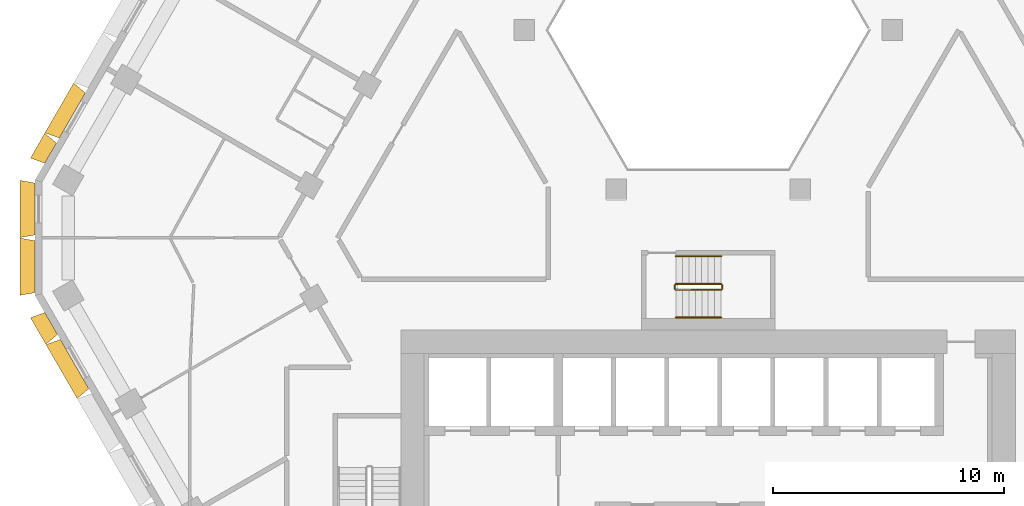
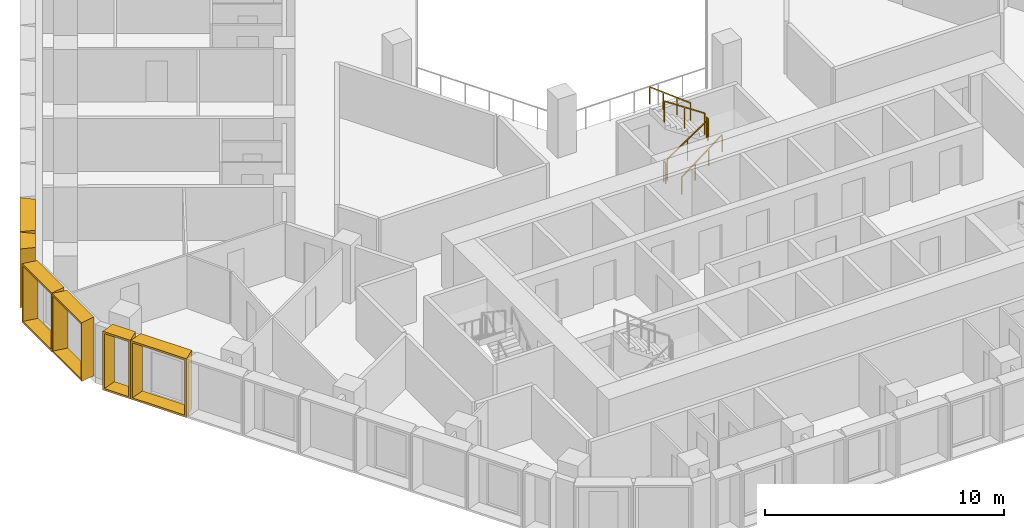
# One storey, part 13 of 15: 6 railings, 6 shading devices.
"""IFC4 building model written with IfcOpenShell, lengths in metres."""

from ifc_helpers import new_model, entity, si_unit, direction, frame, origin, origin_2d, place, context, subcontext, project, spatial, rectangle, extrude, source, transform, mapped, material, type_object, type_shapes, element, save


model = new_model("IFC4")

# Units and contexts
model_context = context("Model", 3, precision=1e-05, world=origin(), true_north=direction((0.0, 1.0)))
body_context = subcontext(model_context, "Body", "Model", "MODEL_VIEW")
ifc_project = project(units=[si_unit("LENGTHUNIT", "METRE"), si_unit("AREAUNIT", "SQUARE_METRE"), si_unit("VOLUMEUNIT", "CUBIC_METRE"), si_unit("PLANEANGLEUNIT", "RADIAN"), si_unit("MASSUNIT", "GRAM", prefix="KILO")], contexts=[model_context])

# Site, building, storey
site_placement = place(None, origin())
site = spatial("IfcSite", under=ifc_project, at=site_placement, CompositionType="ELEMENT")
building_placement = place(site_placement, origin())
building = spatial("IfcBuilding", under=site, at=building_placement, Name="Beryl Residences", CompositionType="ELEMENT")
storey_placement = place(building_placement, frame((0.0, 0.0, 78.0)))
storey = spatial("IfcBuildingStorey", under=building, at=storey_placement, Name="L23", CompositionType="ELEMENT", Elevation=78.0)

# Shading devices
ifc_material_1 = material(Name="Aluminium pale anodised", Category="aluminium")
shading_device_type_1 = type_object("IfcShadingDeviceType", Name="FR126-65A OUTER SKIN frame 650 mm deep, splay 10/10 deg, 1260 x 3000 mm cell", PredefinedType="USERDEFINED", material=ifc_material_1)
cartesian_point_1 = entity("IfcCartesianPoint", [-0.5048828125, 0.0])
cartesian_point_2 = entity("IfcCartesianPoint", [-0.423828125, 0.10009765625])
cartesian_point_3 = entity("IfcCartesianPoint", [-0.61962890625, 0.0])
cartesian_point_4 = entity("IfcCartesianPoint", [-0.538330078125, 0.10009765625])
shared_shape_1 = source(origin(), body_context, "Body", "SweptSolid", [
    entity("IfcExtrudedAreaSolidTapered", entity("IfcArbitraryProfileDefWithVoids", "AREA", None, entity("IfcPolyline", [cartesian_point_1, entity("IfcCartesianPoint", [0.5048828125, 0.0]), entity("IfcCartesianPoint", [0.5048828125, 3.0]), entity("IfcCartesianPoint", [-0.5048828125, 3.0]), cartesian_point_1]), [entity("IfcPolyline", [cartesian_point_2, entity("IfcCartesianPoint", [0.423828125, 0.10009765625]), entity("IfcCartesianPoint", [0.423828125, 2.89990234375]), entity("IfcCartesianPoint", [-0.423828125, 2.89990234375]), cartesian_point_2])]), entity("IfcAxis2Placement3D", entity("IfcCartesianPoint", [0.0, 0.0, 0.0]), entity("IfcDirection", [0.0, 1.0, 0.0]), entity("IfcDirection", [-1.0, 0.0, 0.0])), entity("IfcDirection", [0.0, 0.0, 1.0]), 0.64990234375, entity("IfcArbitraryProfileDefWithVoids", "AREA", None, entity("IfcPolyline", [cartesian_point_3, entity("IfcCartesianPoint", [0.61962890625, 0.0]), entity("IfcCartesianPoint", [0.61962890625, 3.0]), entity("IfcCartesianPoint", [-0.61962890625, 3.0]), cartesian_point_3]), [entity("IfcPolyline", [cartesian_point_4, entity("IfcCartesianPoint", [0.538330078125, 0.10009765625]), entity("IfcCartesianPoint", [0.538330078125, 2.89990234375]), entity("IfcCartesianPoint", [-0.538330078125, 2.89990234375]), cartesian_point_4])])),
])
type_shapes(shading_device_type_1, [shared_shape_1])
shading_device_1_placement = place(storey_placement, frame((-28.48193359375, 2.6689453125, 0.0), z_axis=(0.0, 0.0, 1.0), x_axis=(0.5, 0.866025403784, 0.0)))
element("IfcShadingDevice", 1, at=shading_device_1_placement, inside=storey, type_object=shading_device_type_1, Name="FR126-65A frame L23 NW 11", ObjectType="OUTER SKIN", PredefinedType="USERDEFINED", context=body_context, shape_type="MappedRepresentation", body=[
    mapped(shared_shape_1, transform((0.0, 0.0, 0.0))),
])
ifc_material_2 = material(Name="Aluminium pale anodised", Category="aluminium")
shading_device_type_2 = type_object("IfcShadingDeviceType", Name="FR135-65A OUTER SKIN frame 650 mm deep, splay 10/10 deg, 1350 x 3000 mm cell", PredefinedType="USERDEFINED", material=ifc_material_2)
cartesian_point_5 = entity("IfcCartesianPoint", [-0.550048828125, 0.0])
cartesian_point_6 = entity("IfcCartesianPoint", [-0.46875, 0.10009765625])
cartesian_point_7 = entity("IfcCartesianPoint", [-0.66455078125, 0.0])
cartesian_point_8 = entity("IfcCartesianPoint", [-0.58349609375, 0.10009765625])
shared_shape_2 = source(origin(), body_context, "Body", "SweptSolid", [
    entity("IfcExtrudedAreaSolidTapered", entity("IfcArbitraryProfileDefWithVoids", "AREA", None, entity("IfcPolyline", [cartesian_point_5, entity("IfcCartesianPoint", [0.550048828125, 0.0]), entity("IfcCartesianPoint", [0.550048828125, 3.0]), entity("IfcCartesianPoint", [-0.550048828125, 3.0]), cartesian_point_5]), [entity("IfcPolyline", [cartesian_point_6, entity("IfcCartesianPoint", [0.46875, 0.10009765625]), entity("IfcCartesianPoint", [0.46875, 2.89990234375]), entity("IfcCartesianPoint", [-0.46875, 2.89990234375]), cartesian_point_6])]), entity("IfcAxis2Placement3D", entity("IfcCartesianPoint", [0.0, 0.0, 0.0]), entity("IfcDirection", [0.0, 1.0, 0.0]), entity("IfcDirection", [-1.0, 0.0, 0.0])), entity("IfcDirection", [0.0, 0.0, 1.0]), 0.64990234375, entity("IfcArbitraryProfileDefWithVoids", "AREA", None, entity("IfcPolyline", [cartesian_point_7, entity("IfcCartesianPoint", [0.66455078125, 0.0]), entity("IfcCartesianPoint", [0.66455078125, 3.0]), entity("IfcCartesianPoint", [-0.66455078125, 3.0]), cartesian_point_7]), [entity("IfcPolyline", [cartesian_point_8, entity("IfcCartesianPoint", [0.58349609375, 0.10009765625]), entity("IfcCartesianPoint", [0.58349609375, 2.89990234375]), entity("IfcCartesianPoint", [-0.58349609375, 2.89990234375]), cartesian_point_8])])),
])
type_shapes(shading_device_type_2, [shared_shape_2])
shading_device_2_placement = place(storey_placement, frame((-28.4580078125, -4.7099609375, 0.0), z_axis=(0.0, 0.0, 1.0), x_axis=(-0.5, 0.866025403784, 0.0)))
element("IfcShadingDevice", 2, at=shading_device_2_placement, inside=storey, type_object=shading_device_type_2, Name="FR135-65A frame L23 SW 1", ObjectType="OUTER SKIN", PredefinedType="USERDEFINED", context=body_context, shape_type="MappedRepresentation", body=[
    mapped(shared_shape_2, transform((0.0, 0.0, 0.0))),
])
ifc_material_3 = material(Name="Aluminium pale anodised", Category="aluminium")
shading_device_type_3 = type_object("IfcShadingDeviceType", Name="FR250-65A OUTER SKIN frame 650 mm deep, splay 10/10 deg, 2500 x 3000 mm cell", PredefinedType="USERDEFINED", material=ifc_material_3)
cartesian_point_9 = entity("IfcCartesianPoint", [-1.125, 0.0])
cartesian_point_10 = entity("IfcCartesianPoint", [-1.043701171875, 0.10009765625])
cartesian_point_11 = entity("IfcCartesianPoint", [-1.239501953125, 0.0])
cartesian_point_12 = entity("IfcCartesianPoint", [-1.158447265625, 0.10009765625])
shared_shape_3 = source(origin(), body_context, "Body", "SweptSolid", [
    entity("IfcExtrudedAreaSolidTapered", entity("IfcArbitraryProfileDefWithVoids", "AREA", None, entity("IfcPolyline", [cartesian_point_9, entity("IfcCartesianPoint", [1.125, 0.0]), entity("IfcCartesianPoint", [1.125, 3.0]), entity("IfcCartesianPoint", [-1.125, 3.0]), cartesian_point_9]), [entity("IfcPolyline", [cartesian_point_10, entity("IfcCartesianPoint", [1.043701171875, 0.10009765625]), entity("IfcCartesianPoint", [1.043701171875, 2.89990234375]), entity("IfcCartesianPoint", [-1.043701171875, 2.89990234375]), cartesian_point_10])]), entity("IfcAxis2Placement3D", entity("IfcCartesianPoint", [0.0, 0.0, 0.0]), entity("IfcDirection", [0.0, 1.0, 0.0]), entity("IfcDirection", [-1.0, 0.0, 0.0])), entity("IfcDirection", [0.0, 0.0, 1.0]), 0.64990234375, entity("IfcArbitraryProfileDefWithVoids", "AREA", None, entity("IfcPolyline", [cartesian_point_11, entity("IfcCartesianPoint", [1.239501953125, 0.0]), entity("IfcCartesianPoint", [1.239501953125, 3.0]), entity("IfcCartesianPoint", [-1.239501953125, 3.0]), cartesian_point_11]), [entity("IfcPolyline", [cartesian_point_12, entity("IfcCartesianPoint", [1.158447265625, 0.10009765625]), entity("IfcCartesianPoint", [1.158447265625, 2.89990234375]), entity("IfcCartesianPoint", [-1.158447265625, 2.89990234375]), cartesian_point_12])])),
])
type_shapes(shading_device_type_3, [shared_shape_3])
for number, where, z_axis, x_axis, name in (
    (3, (-29.156982421875, 0.25, 0.0), (0.0, 0.0, 1.0), (0.0, 1.0, 0.0), "FR250-65A frame L23 NW-SW 1"),
    (4, (-29.156982421875, -2.25, 0.0), (0.0, 0.0, 1.0), (0.0, 1.0, 0.0), "FR250-65A frame L23 NW-SW 2"),
):
    element("IfcShadingDevice", number, at=place(storey_placement, frame(where, z_axis=z_axis, x_axis=x_axis)), inside=storey, type_object=shading_device_type_3, Name=name, ObjectType="OUTER SKIN", PredefinedType="USERDEFINED", context=body_context, shape_type="MappedRepresentation", body=[
        mapped(shared_shape_3, transform((0.0, 0.0, 0.0))),
    ])
ifc_material_4 = material(Name="Aluminium pale anodised", Category="aluminium")
shading_device_type_4 = type_object("IfcShadingDeviceType", Name="FR251-65A OUTER SKIN frame 650 mm deep, splay 10/10 deg, 2510 x 3000 mm cell", PredefinedType="USERDEFINED", material=ifc_material_4)
cartesian_point_13 = entity("IfcCartesianPoint", [-1.1298828125, 0.0])
cartesian_point_14 = entity("IfcCartesianPoint", [-1.048828125, 0.10009765625])
cartesian_point_15 = entity("IfcCartesianPoint", [-1.24462890625, 0.0])
cartesian_point_16 = entity("IfcCartesianPoint", [-1.163330078125, 0.10009765625])
shared_shape_4 = source(origin(), body_context, "Body", "SweptSolid", [
    entity("IfcExtrudedAreaSolidTapered", entity("IfcArbitraryProfileDefWithVoids", "AREA", None, entity("IfcPolyline", [cartesian_point_13, entity("IfcCartesianPoint", [1.1298828125, 0.0]), entity("IfcCartesianPoint", [1.1298828125, 3.0]), entity("IfcCartesianPoint", [-1.1298828125, 3.0]), cartesian_point_13]), [entity("IfcPolyline", [cartesian_point_14, entity("IfcCartesianPoint", [1.048828125, 0.10009765625]), entity("IfcCartesianPoint", [1.048828125, 2.89990234375]), entity("IfcCartesianPoint", [-1.048828125, 2.89990234375]), cartesian_point_14])]), entity("IfcAxis2Placement3D", entity("IfcCartesianPoint", [0.0, 0.0, 0.0]), entity("IfcDirection", [0.0, 1.0, 0.0]), entity("IfcDirection", [-1.0, 0.0, 0.0])), entity("IfcDirection", [0.0, 0.0, 1.0]), 0.64990234375, entity("IfcArbitraryProfileDefWithVoids", "AREA", None, entity("IfcPolyline", [cartesian_point_15, entity("IfcCartesianPoint", [1.24462890625, 0.0]), entity("IfcCartesianPoint", [1.24462890625, 3.0]), entity("IfcCartesianPoint", [-1.24462890625, 3.0]), cartesian_point_15]), [entity("IfcPolyline", [cartesian_point_16, entity("IfcCartesianPoint", [1.163330078125, 0.10009765625]), entity("IfcCartesianPoint", [1.163330078125, 2.89990234375]), entity("IfcCartesianPoint", [-1.163330078125, 2.89990234375]), cartesian_point_16])])),
])
type_shapes(shading_device_type_4, [shared_shape_4])
shading_device_3_placement = place(storey_placement, frame((-27.5400390625, 4.300048828125, 0.0), z_axis=(0.0, 0.0, 1.0), x_axis=(0.5, 0.866025403784, 0.0)))
element("IfcShadingDevice", 5, at=shading_device_3_placement, inside=storey, type_object=shading_device_type_4, Name="FR251-65A frame L23 NW 10", ObjectType="OUTER SKIN", PredefinedType="USERDEFINED", context=body_context, shape_type="MappedRepresentation", body=[
    mapped(shared_shape_4, transform((0.0, 0.0, 0.0))),
])
ifc_material_5 = material(Name="Aluminium pale anodised", Category="aluminium")
shading_device_type_5 = type_object("IfcShadingDeviceType", Name="FR271-65A OUTER SKIN frame 650 mm deep, splay 10/10 deg, 2710 x 3000 mm cell", PredefinedType="USERDEFINED", material=ifc_material_5)
cartesian_point_17 = entity("IfcCartesianPoint", [-1.22998046875, 0.0])
cartesian_point_18 = entity("IfcCartesianPoint", [-1.148681640625, 0.10009765625])
cartesian_point_19 = entity("IfcCartesianPoint", [-1.3447265625, 0.0])
cartesian_point_20 = entity("IfcCartesianPoint", [-1.263427734375, 0.10009765625])
shared_shape_5 = source(origin(), body_context, "Body", "SweptSolid", [
    entity("IfcExtrudedAreaSolidTapered", entity("IfcArbitraryProfileDefWithVoids", "AREA", None, entity("IfcPolyline", [cartesian_point_17, entity("IfcCartesianPoint", [1.22998046875, 0.0]), entity("IfcCartesianPoint", [1.22998046875, 3.0]), entity("IfcCartesianPoint", [-1.22998046875, 3.0]), cartesian_point_17]), [entity("IfcPolyline", [cartesian_point_18, entity("IfcCartesianPoint", [1.148681640625, 0.10009765625]), entity("IfcCartesianPoint", [1.148681640625, 2.89990234375]), entity("IfcCartesianPoint", [-1.148681640625, 2.89990234375]), cartesian_point_18])]), entity("IfcAxis2Placement3D", entity("IfcCartesianPoint", [0.0, 0.0, 0.0]), entity("IfcDirection", [0.0, 1.0, 0.0]), entity("IfcDirection", [-1.0, 0.0, 0.0])), entity("IfcDirection", [0.0, 0.0, 1.0]), 0.64990234375, entity("IfcArbitraryProfileDefWithVoids", "AREA", None, entity("IfcPolyline", [cartesian_point_19, entity("IfcCartesianPoint", [1.3447265625, 0.0]), entity("IfcCartesianPoint", [1.3447265625, 3.0]), entity("IfcCartesianPoint", [-1.3447265625, 3.0]), cartesian_point_19]), [entity("IfcPolyline", [cartesian_point_20, entity("IfcCartesianPoint", [1.263427734375, 0.10009765625]), entity("IfcCartesianPoint", [1.263427734375, 2.89990234375]), entity("IfcCartesianPoint", [-1.263427734375, 2.89990234375]), cartesian_point_20])])),
])
type_shapes(shading_device_type_5, [shared_shape_5])
shading_device_4_placement = place(storey_placement, frame((-27.443115234375, -6.468017578125, 0.0), z_axis=(0.0, 0.0, 1.0), x_axis=(-0.5, 0.866025403784, 0.0)))
element("IfcShadingDevice", 6, at=shading_device_4_placement, inside=storey, type_object=shading_device_type_5, Name="FR271-65A frame L23 SW 2", ObjectType="OUTER SKIN", PredefinedType="USERDEFINED", context=body_context, shape_type="MappedRepresentation", body=[
    mapped(shared_shape_5, transform((0.0, 0.0, 0.0))),
])

# Railings
ifc_material_6 = material(Name="Stainless steel balustrade with glass infill", Category="steel")
railing_type_1 = type_object("IfcRailingType", Name="SG1 stair guard 1100 mm", PredefinedType="GUARDRAIL", material=ifc_material_6)
railing_1_placement = place(storey_placement, frame((-1.39990234375, -3.25, 0.1875)))
element("IfcRailing", 7, at=railing_1_placement, inside=storey, type_object=railing_type_1, Name="L23 ST-4 stair guard 1", PredefinedType="GUARDRAIL", context=body_context, shape_type="SweptSolid", body=[
    extrude(rectangle(XDim=0.048095703125, YDim=0.048095703125, at=origin_2d()), frame((0.0, 0.0, 1.076171875), z_axis=(0.830902050051, 0.0, 0.556418712142), x_axis=(0.0, 1.0, 0.0)), (0.0, 0.0, 1.0), 2.35888671875),
    extrude(rectangle(XDim=0.0419921875, YDim=0.0419921875, at=origin_2d()), origin(), (0.0, 0.0, 1.0), 1.052001953125),
    extrude(rectangle(XDim=0.0419921875, YDim=0.0419921875, at=origin_2d()), frame((0.97998046875, 0.0, 0.65625)), (0.0, 0.0, 1.0), 1.052001953125),
    extrude(rectangle(XDim=0.0419921875, YDim=0.0419921875, at=origin_2d()), frame((1.9599609375, 0.0, 1.3125)), (0.0, 0.0, 1.0), 1.052001953125),
])
railing_2_placement = place(storey_placement, frame((0.610107421875, -3.199951171875, 1.5)))
element("IfcRailing", 8, at=railing_2_placement, inside=storey, type_object=railing_type_1, Name="L23 ST-4 stair guard 2", PredefinedType="GUARDRAIL", context=body_context, shape_type="SweptSolid", body=[
    extrude(rectangle(XDim=0.048095703125, YDim=0.048095703125, at=origin_2d()), frame((0.0, 0.0, 1.076171875), z_axis=(0.0, 1.0, 0.0), x_axis=(-1.0, 0.0, 0.0)), (0.0, 0.0, 1.0), 0.14990234375),
    extrude(rectangle(XDim=0.0419921875, YDim=0.0419921875, at=origin_2d()), origin(), (0.0, 0.0, 1.0), 1.052001953125),
    extrude(rectangle(XDim=0.0419921875, YDim=0.0419921875, at=origin_2d()), frame((0.0, 0.14990234375, 0.0)), (0.0, 0.0, 1.0), 1.052001953125),
])
railing_3_placement = place(storey_placement, frame((0.56005859375, -3.0, 1.6875)))
element("IfcRailing", 9, at=railing_3_placement, inside=storey, type_object=railing_type_1, Name="L23 ST-4 stair guard 3", PredefinedType="GUARDRAIL", context=body_context, shape_type="SweptSolid", body=[
    extrude(rectangle(XDim=0.048095703125, YDim=0.048095703125, at=origin_2d()), frame((0.0, 0.0, 1.076171875), z_axis=(-0.830902050051, 0.0, 0.556418712142), x_axis=(0.0, -1.0, 0.0)), (0.0, 0.0, 1.0), 2.35888671875),
    extrude(rectangle(XDim=0.0419921875, YDim=0.0419921875, at=origin_2d()), origin(), (0.0, 0.0, 1.0), 1.052001953125),
    extrude(rectangle(XDim=0.0419921875, YDim=0.0419921875, at=origin_2d()), frame((-0.97998046875, 0.0, 0.65625)), (0.0, 0.0, 1.0), 1.052001953125),
    extrude(rectangle(XDim=0.0419921875, YDim=0.0419921875, at=origin_2d()), frame((-1.9599609375, 0.0, 1.3125)), (0.0, 0.0, 1.0), 1.052001953125),
])
railing_4_placement = place(storey_placement, frame((-1.449951171875, -3.199951171875, 0.0)))
element("IfcRailing", 10, at=railing_4_placement, inside=storey, type_object=railing_type_1, Name="L23 ST-4 stair guard 4", PredefinedType="GUARDRAIL", context=body_context, shape_type="SweptSolid", body=[
    extrude(rectangle(XDim=0.048095703125, YDim=0.048095703125, at=origin_2d()), frame((0.0, 0.0, 1.076171875), z_axis=(0.0, 1.0, 0.0), x_axis=(-1.0, 0.0, 0.0)), (0.0, 0.0, 1.0), 0.14990234375),
    extrude(rectangle(XDim=0.0419921875, YDim=0.0419921875, at=origin_2d()), origin(), (0.0, 0.0, 1.0), 1.052001953125),
    extrude(rectangle(XDim=0.0419921875, YDim=0.0419921875, at=origin_2d()), frame((0.0, 0.14990234375, 0.0)), (0.0, 0.0, 1.0), 1.052001953125),
])
ifc_material_7 = material(Name="Stainless steel handrail", Category="steel")
railing_type_2 = type_object("IfcRailingType", Name="SRL1 stair handrail 900 mm", PredefinedType="HANDRAIL", material=ifc_material_7)
railing_5_placement = place(storey_placement, frame((-1.39990234375, -4.449951171875, 0.1875)))
element("IfcRailing", 11, at=railing_5_placement, inside=storey, type_object=railing_type_2, Name="L23 ST-4 stair handrail 1", PredefinedType="HANDRAIL", context=body_context, shape_type="SweptSolid", body=[
    extrude(rectangle(XDim=0.048095703125, YDim=0.048095703125, at=origin_2d()), frame((0.0, 0.0, 0.8759765625), z_axis=(0.794121922505, 0.0, 0.607758481798), x_axis=(0.0, 1.0, 0.0)), (0.0, 0.0, 1.0), 2.468017578125),
    extrude(rectangle(XDim=0.0419921875, YDim=0.0419921875, at=origin_2d()), origin(), (0.0, 0.0, 1.0), 0.851806640625),
    extrude(rectangle(XDim=0.0419921875, YDim=0.0419921875, at=origin_2d()), frame((0.6533203125, 0.0, 0.5)), (0.0, 0.0, 1.0), 0.851806640625),
    extrude(rectangle(XDim=0.0419921875, YDim=0.0419921875, at=origin_2d()), frame((1.306640625, 0.0, 1.0)), (0.0, 0.0, 1.0), 0.851806640625),
    extrude(rectangle(XDim=0.0419921875, YDim=0.0419921875, at=origin_2d()), frame((1.9599609375, 0.0, 1.5)), (0.0, 0.0, 1.0), 0.851806640625),
])
railing_6_placement = place(storey_placement, frame((0.56005859375, -1.800048828125, 1.6875)))
element("IfcRailing", 12, at=railing_6_placement, inside=storey, type_object=railing_type_2, Name="L23 ST-4 stair handrail 2", PredefinedType="HANDRAIL", context=body_context, shape_type="SweptSolid", body=[
    extrude(rectangle(XDim=0.048095703125, YDim=0.048095703125, at=origin_2d()), frame((0.0, 0.0, 0.8759765625), z_axis=(-0.794121922505, 0.0, 0.607758481798), x_axis=(0.0, -1.0, 0.0)), (0.0, 0.0, 1.0), 2.468017578125),
    extrude(rectangle(XDim=0.0419921875, YDim=0.0419921875, at=origin_2d()), origin(), (0.0, 0.0, 1.0), 0.851806640625),
    extrude(rectangle(XDim=0.0419921875, YDim=0.0419921875, at=origin_2d()), frame((-0.6533203125, 0.0, 0.5)), (0.0, 0.0, 1.0), 0.851806640625),
    extrude(rectangle(XDim=0.0419921875, YDim=0.0419921875, at=origin_2d()), frame((-1.306640625, 0.0, 1.0)), (0.0, 0.0, 1.0), 0.851806640625),
    extrude(rectangle(XDim=0.0419921875, YDim=0.0419921875, at=origin_2d()), frame((-1.9599609375, 0.0, 1.5)), (0.0, 0.0, 1.0), 0.851806640625),
])

save(model, "model.ifc")
